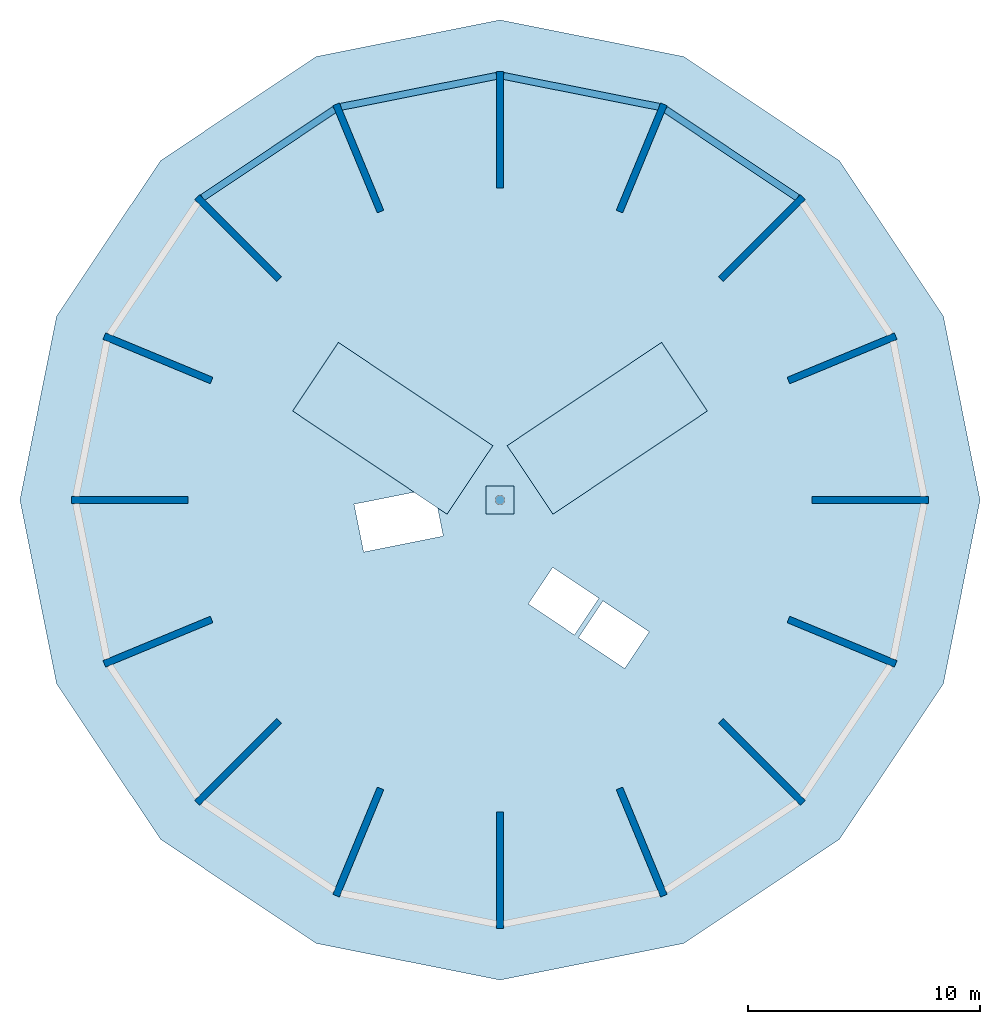
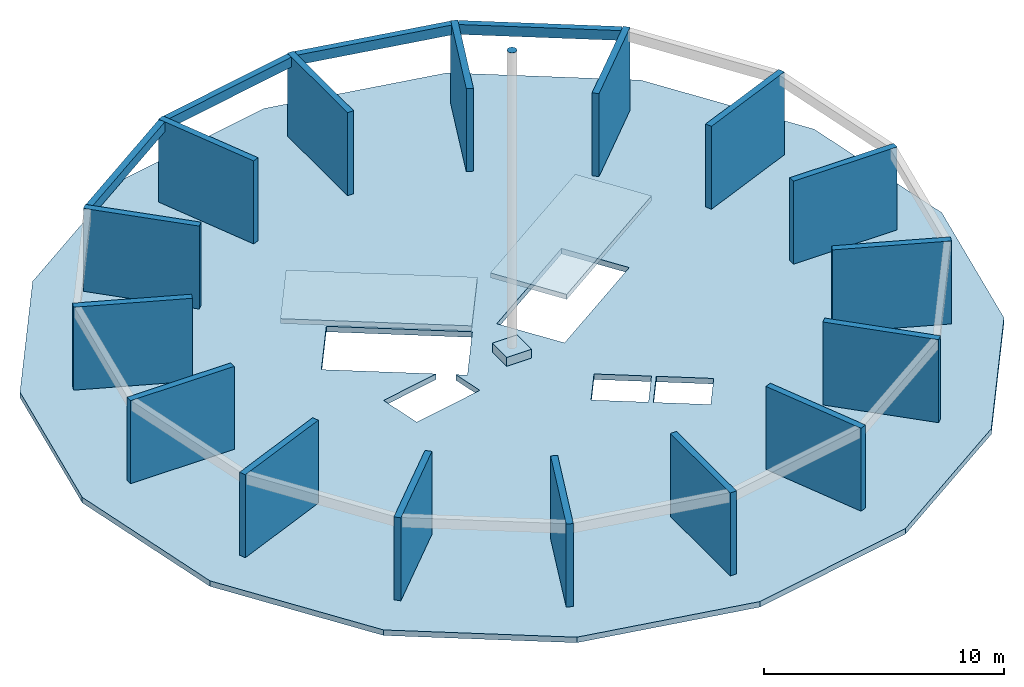
# One storey, part 2 of 2: 16 walls, 4 beams, 4 slabs, 1 discrete accessory.
"""IFC4 building model written with IfcOpenShell, lengths in metres."""

from ifc_helpers import new_model, si_unit, direction, frame, frame_2d, origin, origin_2d, place, context, subcontext, project, spatial, polyline, rectangle, circle, outline, extrude, material, layer, layer_set, material_profile, profile_set, type_object, element, save


model = new_model("IFC4")

# Units and contexts
model_context = context("Model", 3, precision=1e-05, world=origin(), true_north=direction((0.0, 1.0)))
body_context = subcontext(model_context, "Body", "Model", "MODEL_VIEW")
ifc_project = project(units=[si_unit("LENGTHUNIT", "METRE"), si_unit("AREAUNIT", "SQUARE_METRE"), si_unit("VOLUMEUNIT", "CUBIC_METRE"), si_unit("PLANEANGLEUNIT", "RADIAN"), si_unit("MASSUNIT", "GRAM", prefix="KILO")], contexts=[model_context])

# Site, building, storey
site_placement = place(None, origin())
site = spatial("IfcSite", under=ifc_project, at=site_placement, CompositionType="ELEMENT")
building_placement = place(site_placement, origin())
building = spatial("IfcBuilding", under=site, at=building_placement, Name="Ceibo Conservatory and Research Tower", CompositionType="ELEMENT")
storey_placement = place(building_placement, frame((0.0, 0.0, 25.199951171875)))
storey = spatial("IfcBuildingStorey", under=building, at=storey_placement, Name="ROOF", CompositionType="ELEMENT", Elevation=25.199951171875)

# Beams
ifc_material_1 = material(Name="Concrete C35/45", Category="concrete")
ifc_material_profile_1 = material_profile(ifc_material_1, rectangle(XDim=0.300048828125, YDim=0.5, at=origin_2d()), Name="RC 300x500")
ifc_profile_set_1 = profile_set([ifc_material_profile_1], Name="Concrete C35/45")
beam_type = type_object("IfcBeamType", Name="RC beam 300x500 C35", PredefinedType="BEAM", material=ifc_profile_set_1)
for number, where, z_axis, x_axis, name in (
    (1, (60.81298828125, 133.02490234375, 3.969970703125), (-0.831461790191, 0.555581939459, 0.0), (-0.555581939459, -0.831461790191, 0.0), "Crown ring beam 03"),
    (2, (54.85302734375, 136.936767578125, 3.969970703125), (-0.980780755027, 0.19511307124, 0.0), (-0.19511307124, -0.980780755027, 0.0), "Crown ring beam 04"),
    (3, (47.85009765625, 138.270263671875, 3.969970703125), (-0.980780755027, -0.19511307124, 0.0), (0.19511307124, -0.980780755027, 0.0), "Crown ring beam 05"),
    (4, (40.86962890625, 136.822021484375, 3.969970703125), (-0.831461790191, -0.555581939459, 0.0), (0.555581939459, -0.831461790191, 0.0), "Crown ring beam 06"),
):
    element("IfcBeam", number, at=place(storey_placement, frame(where, z_axis=z_axis, x_axis=x_axis)), inside=storey, type_object=beam_type, Name=name, PredefinedType="BEAM", context=body_context, shape_type="SweptSolid", body=[
        extrude(rectangle(XDim=0.300048828125, YDim=0.5, at=origin_2d()), origin(), (0.0, 0.0, 1.0), 6.83447265625),
    ])

# Slabs
ifc_layer_1 = layer(ifc_material_1, 0.25)
ifc_layer_set_1 = layer_set([ifc_layer_1], Name="Concrete C35/45")
slab_type_1 = type_object("IfcSlabType", Name="Head house roof slab 250", PredefinedType="ROOF", material=ifc_layer_set_1)
slab_1_placement = place(storey_placement, frame((0.0, 0.0, 2.39990234375)))
element("IfcSlab", 5, at=slab_1_placement, inside=storey, type_object=slab_type_1, Name="Stair head house roof ST1", PredefinedType="ROOF", context=body_context, shape_type="SweptSolid", body=[
    extrude(outline(polyline([(56.93310546875, 123.834228515625), (54.9609375, 126.785888671875), (48.30908203125, 122.34130859375), (50.281494140625, 119.3896484375), (56.93310546875, 123.834228515625)])), origin(), (0.0, 0.0, 1.0), 0.25),
])
slab_2_placement = place(storey_placement, frame((0.0, 0.0, 2.39990234375)))
element("IfcSlab", 6, at=slab_2_placement, inside=storey, type_object=slab_type_1, Name="Stair head house roof ST2", PredefinedType="ROOF", context=body_context, shape_type="SweptSolid", body=[
    extrude(outline(polyline([(41.0390625, 126.785888671875), (39.06689453125, 123.834228515625), (45.718505859375, 119.3896484375), (47.69091796875, 122.34130859375), (41.0390625, 126.785888671875)])), origin(), (0.0, 0.0, 1.0), 0.25),
])
ifc_layer_2 = layer(ifc_material_1, 0.449951171875)
ifc_layer_set_2 = layer_set([ifc_layer_2], Name="Concrete C35/45")
slab_type_2 = type_object("IfcSlabType", Name="RC mast pedestal 450", PredefinedType="ROOF", material=ifc_layer_set_2)
slab_3_placement = place(storey_placement, origin())
element("IfcSlab", 7, at=slab_3_placement, inside=storey, type_object=slab_type_2, Name="Beacon mast pedestal", PredefinedType="ROOF", context=body_context, shape_type="SweptSolid", body=[
    extrude(outline(polyline([(48.60009765625, 119.39990234375), (48.60009765625, 120.60009765625), (47.39990234375, 120.60009765625), (47.39990234375, 119.39990234375), (48.60009765625, 119.39990234375)])), origin(), (0.0, 0.0, 1.0), 0.449951171875),
])
ifc_layer_3 = layer(ifc_material_1, 0.280029296875)
ifc_layer_set_3 = layer_set([ifc_layer_3], Name="Concrete C35/45")
slab_type_3 = type_object("IfcSlabType", Name="RC roof slab 280", PredefinedType="ROOF", material=ifc_layer_set_3)
slab_4_placement = place(storey_placement, frame((0.0, 0.0, -0.280029296875)))
element("IfcSlab", 8, at=slab_4_placement, inside=storey, type_object=slab_type_3, Name="Roof slab", PredefinedType="ROOF", context=body_context, shape_type="SweptSolid", body=[
    extrude(outline(polyline([(68.678466796875, 120.0), (67.1044921875, 127.913330078125), (62.621826171875, 134.621826171875), (55.913330078125, 139.1044921875), (48.0, 140.678466796875), (40.086669921875, 139.1044921875), (33.378173828125, 134.621826171875), (28.8955078125, 127.913330078125), (27.321533203125, 120.0), (28.8955078125, 112.086669921875), (33.378173828125, 105.378173828125), (40.086669921875, 100.8955078125), (48.0, 99.321533203125), (55.913330078125, 100.8955078125), (62.621826171875, 105.378173828125), (67.1044921875, 112.086669921875), (68.678466796875, 120.0)]), holes=[polyline([(52.43310546875, 115.65478515625), (51.37744140625, 114.074951171875), (53.373046875, 112.74169921875), (54.428466796875, 114.321533203125), (52.43310546875, 115.65478515625)]), polyline([(50.271240234375, 117.099365234375), (49.215576171875, 115.51953125), (51.211181640625, 114.18603515625), (52.266845703125, 115.765869140625), (50.271240234375, 117.099365234375)]), polyline([(42.1240234375, 117.760498046875), (45.556640625, 118.443359375), (45.259521484375, 119.936767578125), (45.663330078125, 119.6669921875), (47.413330078125, 122.2861328125), (42.341552734375, 125.675048828125), (40.59130859375, 123.055908203125), (44.58056640625, 120.390380859375), (41.71435546875, 119.8203125), (42.1240234375, 117.760498046875)]), polyline([(53.658447265625, 125.675048828125), (48.586669921875, 122.2861328125), (50.336669921875, 119.6669921875), (55.40869140625, 123.055908203125), (53.658447265625, 125.675048828125)])]), origin(), (0.0, 0.0, 1.0), 0.280029296875),
])

# Walls
ifc_layer_4 = layer(ifc_material_1, 0.300048828125)
ifc_layer_set_4 = layer_set([ifc_layer_4], Name="Concrete C35/45")
wall_type = type_object("IfcWallType", Name="RC crown fin 300 C35", PredefinedType="SOLIDWALL", material=ifc_layer_set_4)
for number, where, z_axis, x_axis, name in (
    (9, (61.449951171875, 120.0, 0.0), (0.0, 0.0, 1.0), (1.0, 0.0, 0.0), "Crown fin R1"),
    (10, (60.42626953125, 125.14697265625, 0.0), (0.0, 0.0, 1.0), (0.923868048862, 0.38271115517, 0.0), "Crown fin R2"),
):
    element("IfcWall", number, at=place(storey_placement, frame(where, z_axis=z_axis, x_axis=x_axis)), inside=storey, type_object=wall_type, Name=name, PredefinedType="SOLIDWALL", context=body_context, shape_type="SweptSolid", body=[
        extrude(rectangle(XDim=5.0, YDim=0.300048828125, at=frame_2d((2.5, 0.0))), origin(), (0.0, 0.0, 1.0), 4.219970703125),
    ])
wall_1_placement = place(storey_placement, frame((57.510498046875, 129.510498046875, 0.0), z_axis=(0.0, 0.0, 1.0), x_axis=(0.707106781187, 0.707106781187, 0.0)))
element("IfcWall", 11, at=wall_1_placement, inside=storey, type_object=wall_type, Name="Crown fin R3", PredefinedType="SOLIDWALL", context=body_context, shape_type="SweptSolid", body=[
    extrude(rectangle(XDim=5.000244140625, YDim=0.300048828125, at=frame_2d((2.5, 0.0))), origin(), (0.0, 0.0, 1.0), 4.219970703125),
])
for number, where, z_axis, x_axis, name in (
    (12, (53.14697265625, 132.42626953125, 0.0), (0.0, 0.0, 1.0), (0.38271115517, 0.923868048862, 0.0), "Crown fin R4"),
    (13, (48.0, 133.449951171875, 0.0), (0.0, 0.0, 1.0), (0.0, 1.0, 0.0), "Crown fin R5"),
    (14, (42.85302734375, 132.42626953125, 0.0), (0.0, 0.0, 1.0), (-0.38271115517, 0.923868048862, 0.0), "Crown fin R6"),
):
    element("IfcWall", number, at=place(storey_placement, frame(where, z_axis=z_axis, x_axis=x_axis)), inside=storey, type_object=wall_type, Name=name, PredefinedType="SOLIDWALL", context=body_context, shape_type="SweptSolid", body=[
        extrude(rectangle(XDim=5.0, YDim=0.300048828125, at=frame_2d((2.5, 0.0))), origin(), (0.0, 0.0, 1.0), 4.219970703125),
    ])
wall_2_placement = place(storey_placement, frame((38.489501953125, 129.510498046875, 0.0), z_axis=(0.0, 0.0, 1.0), x_axis=(-0.707106781187, 0.707106781187, 0.0)))
element("IfcWall", 15, at=wall_2_placement, inside=storey, type_object=wall_type, Name="Crown fin R7", PredefinedType="SOLIDWALL", context=body_context, shape_type="SweptSolid", body=[
    extrude(rectangle(XDim=5.000244140625, YDim=0.300048828125, at=frame_2d((2.5, 0.0))), origin(), (0.0, 0.0, 1.0), 4.219970703125),
])
for number, where, z_axis, x_axis, name in (
    (16, (35.57373046875, 125.14697265625, 0.0), (0.0, 0.0, 1.0), (-0.923868048862, 0.38271115517, 0.0), "Crown fin R8"),
    (17, (34.550048828125, 120.0, 0.0), (0.0, 0.0, 1.0), (-1.0, 0.0, 0.0), "Crown fin R9"),
    (18, (35.57373046875, 114.85302734375, 0.0), (0.0, 0.0, 1.0), (-0.923868048862, -0.38271115517, 0.0), "Crown fin R10"),
):
    element("IfcWall", number, at=place(storey_placement, frame(where, z_axis=z_axis, x_axis=x_axis)), inside=storey, type_object=wall_type, Name=name, PredefinedType="SOLIDWALL", context=body_context, shape_type="SweptSolid", body=[
        extrude(rectangle(XDim=5.0, YDim=0.300048828125, at=frame_2d((2.5, 0.0))), origin(), (0.0, 0.0, 1.0), 4.219970703125),
    ])
wall_3_placement = place(storey_placement, frame((38.489501953125, 110.489501953125, 0.0), z_axis=(0.0, 0.0, 1.0), x_axis=(-0.707106781187, -0.707106781187, 0.0)))
element("IfcWall", 19, at=wall_3_placement, inside=storey, type_object=wall_type, Name="Crown fin R11", PredefinedType="SOLIDWALL", context=body_context, shape_type="SweptSolid", body=[
    extrude(rectangle(XDim=5.000244140625, YDim=0.300048828125, at=frame_2d((2.5, 0.0))), origin(), (0.0, 0.0, 1.0), 4.219970703125),
])
for number, where, z_axis, x_axis, name in (
    (20, (42.85302734375, 107.57373046875, 0.0), (0.0, 0.0, 1.0), (-0.38271115517, -0.923868048862, 0.0), "Crown fin R12"),
    (21, (48.0, 106.550048828125, 0.0), (0.0, 0.0, 1.0), (0.0, -1.0, 0.0), "Crown fin R13"),
    (22, (53.14697265625, 107.57373046875, 0.0), (0.0, 0.0, 1.0), (0.38271115517, -0.923868048862, 0.0), "Crown fin R14"),
):
    element("IfcWall", number, at=place(storey_placement, frame(where, z_axis=z_axis, x_axis=x_axis)), inside=storey, type_object=wall_type, Name=name, PredefinedType="SOLIDWALL", context=body_context, shape_type="SweptSolid", body=[
        extrude(rectangle(XDim=5.0, YDim=0.300048828125, at=frame_2d((2.5, 0.0))), origin(), (0.0, 0.0, 1.0), 4.219970703125),
    ])
wall_4_placement = place(storey_placement, frame((57.510498046875, 110.489501953125, 0.0), z_axis=(0.0, 0.0, 1.0), x_axis=(0.707106781187, -0.707106781187, 0.0)))
element("IfcWall", 23, at=wall_4_placement, inside=storey, type_object=wall_type, Name="Crown fin R15", PredefinedType="SOLIDWALL", context=body_context, shape_type="SweptSolid", body=[
    extrude(rectangle(XDim=5.000244140625, YDim=0.300048828125, at=frame_2d((2.5, 0.0))), origin(), (0.0, 0.0, 1.0), 4.219970703125),
])
wall_5_placement = place(storey_placement, frame((60.42626953125, 114.85302734375, 0.0), z_axis=(0.0, 0.0, 1.0), x_axis=(0.923868048862, -0.38271115517, 0.0)))
element("IfcWall", 24, at=wall_5_placement, inside=storey, type_object=wall_type, Name="Crown fin R16", PredefinedType="SOLIDWALL", context=body_context, shape_type="SweptSolid", body=[
    extrude(rectangle(XDim=5.0, YDim=0.300048828125, at=frame_2d((2.5, 0.0))), origin(), (0.0, 0.0, 1.0), 4.219970703125),
])

# Discrete accessory
ifc_material_2 = material(Name="Steel S355J2", Category="steel")
ifc_material_profile_2 = material_profile(ifc_material_2, circle(Radius=0.203125, at=origin_2d()), Name="End plate PL D406.4x16")
ifc_profile_set_2 = profile_set([ifc_material_profile_2], Name="Steel S355J2")
discrete_accessory_type = type_object("IfcDiscreteAccessoryType", Name="End plate PL D406.4x16", PredefinedType="USERDEFINED", material=ifc_profile_set_2)
discrete_accessory_placement = place(storey_placement, frame((48.0, 120.0, 15.498046875), z_axis=(0.0, 0.0, 1.0), x_axis=(1.0, 0.0, 0.0)))
element("IfcDiscreteAccessory", 25, at=discrete_accessory_placement, inside=storey, type_object=discrete_accessory_type, Name="Beacon mast end plate", ObjectType="End plate", PredefinedType="USERDEFINED", context=body_context, shape_type="SweptSolid", body=[
    extrude(circle(Radius=0.203125, at=origin_2d()), origin(), (0.0, 0.0, 1.0), 0.01806640625),
])

save(model, "model.ifc")
